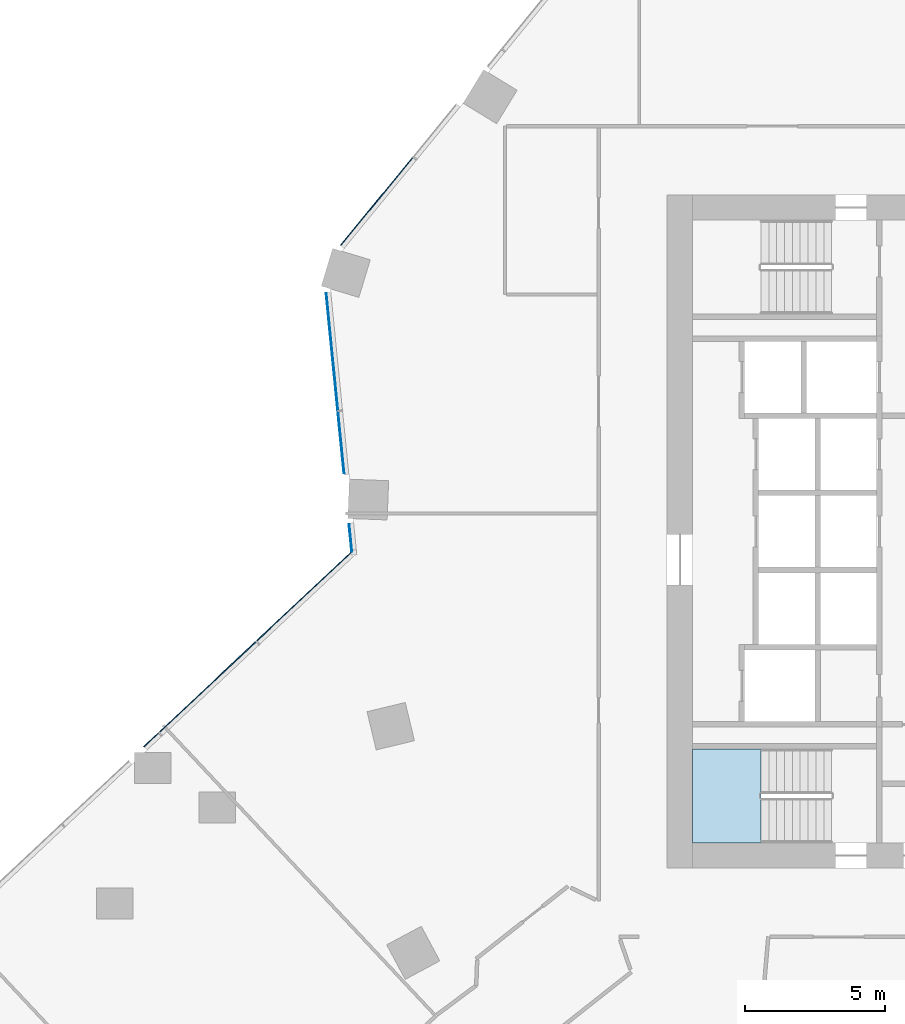
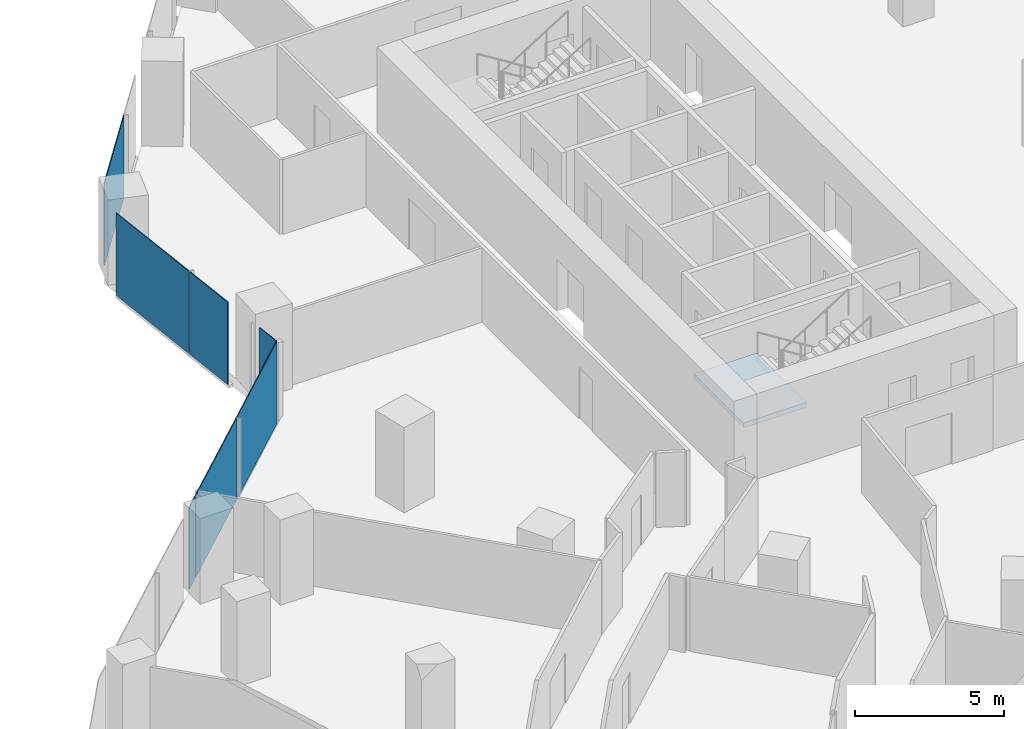
# One storey, part 19 of 34: 7 plates, 1 slab, 4 elements without a shape of their own.
"""IFC4 building model written with IfcOpenShell, lengths in metres."""

from ifc_helpers import new_model, si_unit, direction, frame, origin, origin_2d, place, context, subcontext, project, spatial, polyline, rectangle, outline, extrude, material, layer, layer_set, type_object, element, aggregate, save


model = new_model("IFC4")

# Units and contexts
model_context = context("Model", 3, precision=1e-05, world=origin(), true_north=direction((0.0, 1.0)))
body_context = subcontext(model_context, "Body", "Model", "MODEL_VIEW")
ifc_project = project(units=[si_unit("LENGTHUNIT", "METRE"), si_unit("AREAUNIT", "SQUARE_METRE"), si_unit("VOLUMEUNIT", "CUBIC_METRE"), si_unit("PLANEANGLEUNIT", "RADIAN"), si_unit("MASSUNIT", "GRAM", prefix="KILO")], contexts=[model_context])

# Site, building, storey
site_placement = place(None, origin())
site = spatial("IfcSite", under=ifc_project, at=site_placement, CompositionType="ELEMENT")
building_placement = place(site_placement, origin())
building = spatial("IfcBuilding", under=site, at=building_placement, Name="Orlundy Tower", CompositionType="ELEMENT")
storey_placement = place(building_placement, frame((0.0, 0.0, 40.800048828125)))
storey = spatial("IfcBuildingStorey", under=building, at=storey_placement, Name="L08", CompositionType="ELEMENT", Elevation=40.800048828125)

# Curtain wall, plates
ifc_material_1 = material(Name="Aluminium bronze anodised", Category="aluminium")
curtain_wall_type = type_object("IfcCurtainWallType", Name="CW1 wall", PredefinedType="NOTDEFINED", material=ifc_material_1)
curtain_wall_1_placement = place(storey_placement, origin())
curtain_wall_1 = element("IfcCurtainWall", 1, at=curtain_wall_1_placement, inside=storey, type_object=curtain_wall_type, Name="CW1 run 00", PredefinedType="NOTDEFINED")
ifc_material_2 = material(Name="Tinted glass", Category="glass")
ifc_layer_1 = layer(ifc_material_2, 0.031982421875)
ifc_layer_set_1 = layer_set([ifc_layer_1], Name="CW1 glass panel 32")
plate_type = type_object("IfcPlateType", Name="CW1 glass panel 32", PredefinedType="CURTAIN_PANEL", material=ifc_layer_set_1)
plate_1_placement = place(storey_placement, frame((-37.397705078125, -7.431640625, -0.300048828125), z_axis=(0.0, 0.0, 1.0), x_axis=(0.729351371178, 0.684139296752, 0.0)))
plate_1 = element("IfcPlate", 2, at=plate_1_placement, type_object=plate_type, Name="CW1 panel", PredefinedType="CURTAIN_PANEL", context=body_context, shape_type="SweptSolid", body=[
    extrude(rectangle(XDim=0.714599609375, YDim=0.031982421875, at=origin_2d()), origin(), (0.0, 0.0, 1.0), 3.3798828125),
])
plate_2_placement = place(storey_placement, frame((-35.384765625, -5.54345703125, -0.300048828125), z_axis=(0.0, 0.0, 1.0), x_axis=(0.729351371178, 0.684139296752, 0.0)))
plate_2 = element("IfcPlate", 3, at=plate_2_placement, type_object=plate_type, Name="CW1 panel", PredefinedType="CURTAIN_PANEL", context=body_context, shape_type="SweptSolid", body=[
    extrude(rectangle(XDim=4.705322265625, YDim=0.031982421875, at=origin_2d()), origin(), (0.0, 0.0, 1.0), 3.3798828125),
])
plate_3_placement = place(storey_placement, frame((-31.936767578125, -2.30908203125, -0.300048828125), z_axis=(0.0, 0.0, 1.0), x_axis=(0.729351371178, 0.684139296752, 0.0)))
plate_3 = element("IfcPlate", 4, at=plate_3_placement, type_object=plate_type, Name="CW1 panel", PredefinedType="CURTAIN_PANEL", context=body_context, shape_type="SweptSolid", body=[
    extrude(rectangle(XDim=4.6494140625, YDim=0.031982421875, at=origin_2d()), origin(), (0.0, 0.0, 1.0), 3.3798828125),
])
aggregate(curtain_wall_1, [plate_1, plate_2, plate_3])

curtain_wall_2_placement = place(storey_placement, origin())
curtain_wall_2 = element("IfcCurtainWall", 5, at=curtain_wall_2_placement, inside=storey, type_object=curtain_wall_type, Name="CW1 run 01", PredefinedType="NOTDEFINED")
plate_4_placement = place(storey_placement, frame((-30.289794921875, -0.228515625, -0.300048828125), z_axis=(0.0, 0.0, 1.0), x_axis=(-0.098671826867, 0.995120028229, 0.0)))
plate_4 = element("IfcPlate", 6, at=plate_4_placement, type_object=plate_type, Name="CW1 panel", PredefinedType="CURTAIN_PANEL", context=body_context, shape_type="SweptSolid", body=[
    extrude(rectangle(XDim=0.98486328125, YDim=0.031982421875, at=origin_2d()), origin(), (0.0, 0.0, 1.0), 3.3798828125),
])
plate_5_placement = place(storey_placement, frame((-30.626708984375, 3.169189453125, -0.300048828125), z_axis=(0.0, 0.0, 1.0), x_axis=(-0.098671826867, 0.995120028229, 0.0)))
plate_5 = element("IfcPlate", 7, at=plate_5_placement, type_object=plate_type, Name="CW1 panel", PredefinedType="CURTAIN_PANEL", context=body_context, shape_type="SweptSolid", body=[
    extrude(rectangle(XDim=2.210205078125, YDim=0.031982421875, at=origin_2d()), origin(), (0.0, 0.0, 1.0), 3.3798828125),
])
plate_6_placement = place(storey_placement, frame((-30.947265625, 6.40185546875, -0.300048828125), z_axis=(0.0, 0.0, 1.0), x_axis=(-0.098671826867, 0.995120028229, 0.0)))
plate_6 = element("IfcPlate", 8, at=plate_6_placement, type_object=plate_type, Name="CW1 panel", PredefinedType="CURTAIN_PANEL", context=body_context, shape_type="SweptSolid", body=[
    extrude(rectangle(XDim=4.186767578125, YDim=0.031982421875, at=origin_2d()), origin(), (0.0, 0.0, 1.0), 3.3798828125),
])
aggregate(curtain_wall_2, [plate_4, plate_5, plate_6])

# Curtain wall, plate
curtain_wall_3_placement = place(storey_placement, origin())
curtain_wall_3 = element("IfcCurtainWall", 9, at=curtain_wall_3_placement, inside=storey, type_object=curtain_wall_type, Name="CW1 run 02", PredefinedType="NOTDEFINED")
plate_7_placement = place(storey_placement, frame((-29.3525390625, 11.77001953125, -0.300048828125), z_axis=(0.0, 0.0, 1.0), x_axis=(0.633818264458, 0.773482002143, 0.0)))
plate_7 = element("IfcPlate", 10, at=plate_7_placement, type_object=plate_type, Name="CW1 panel", PredefinedType="CURTAIN_PANEL", context=body_context, shape_type="SweptSolid", body=[
    extrude(rectangle(XDim=4.039306640625, YDim=0.031982421875, at=origin_2d()), origin(), (0.0, 0.0, 1.0), 3.3798828125),
])
aggregate(curtain_wall_3, [plate_7])

# Stair, slab
ifc_material_3 = material(Name="Concrete C50/60", Category="concrete")
stair_type = type_object("IfcStairType", Name="Exit Stair 20 risers", PredefinedType="HALF_TURN_STAIR", material=ifc_material_3)
stair_placement = place(storey_placement, origin())
stair = element("IfcStair", 11, at=stair_placement, inside=storey, type_object=stair_type, Name="L08 Exit Stair ST-W2", PredefinedType="HALF_TURN_STAIR")
ifc_material_4 = material(Name="Concrete C50/60", Category="concrete")
ifc_layer_2 = layer(ifc_material_4, 0.199951171875)
ifc_layer_set_2 = layer_set([ifc_layer_2], Name="Exit Stair Landing")
slab_type = type_object("IfcSlabType", Name="Exit Stair Landing", PredefinedType="LANDING", material=ifc_layer_set_2)
slab_placement = place(storey_placement, frame((0.0, 0.0, 1.550048828125)))
slab = element("IfcSlab", 12, at=slab_placement, type_object=slab_type, Name="ST-W2 landing 1", PredefinedType="LANDING", context=body_context, shape_type="SweptSolid", body=[
    extrude(outline(polyline([(-15.659912109375, -7.75), (-18.10009765625, -7.75), (-18.10009765625, -11.10009765625), (-15.659912109375, -11.10009765625), (-15.659912109375, -7.75)])), origin(), (0.0, 0.0, 1.0), 0.199951171875),
])
aggregate(stair, [slab])

save(model, "model.ifc")
